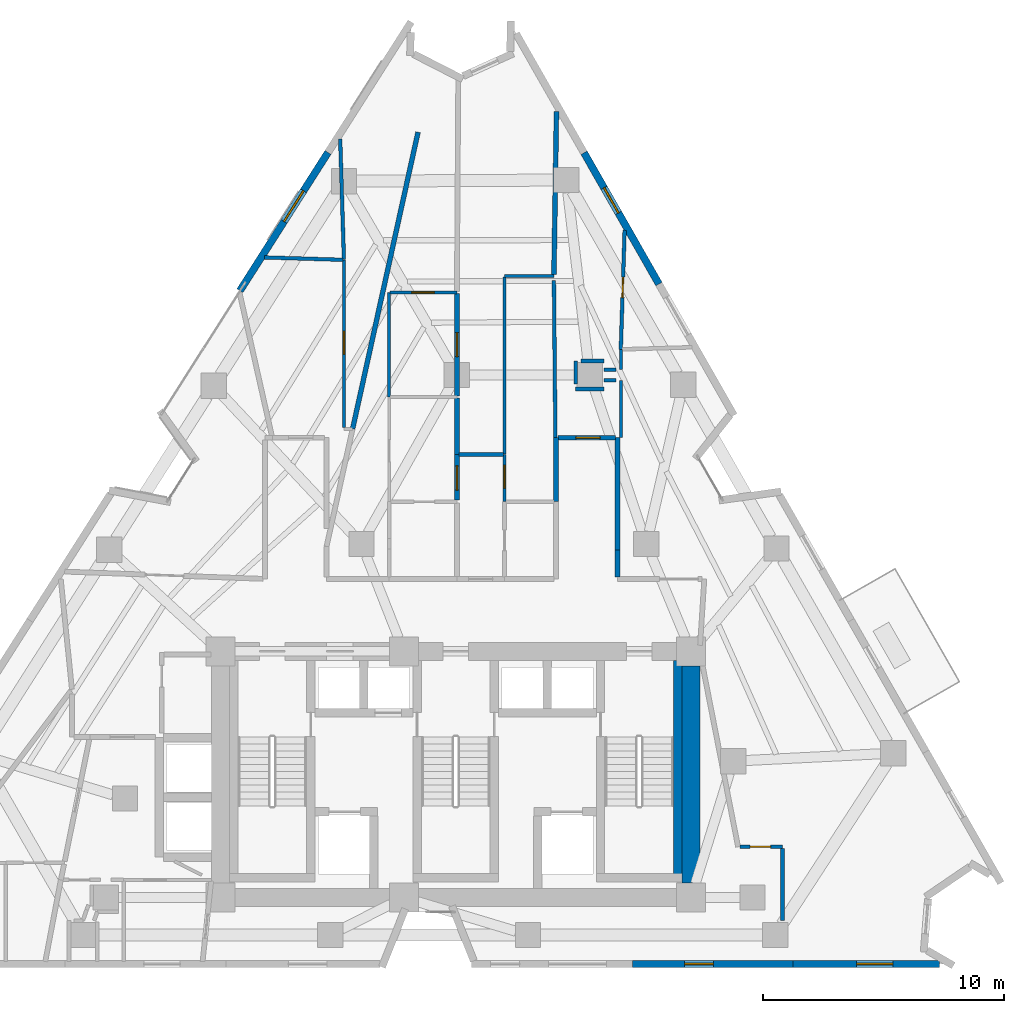
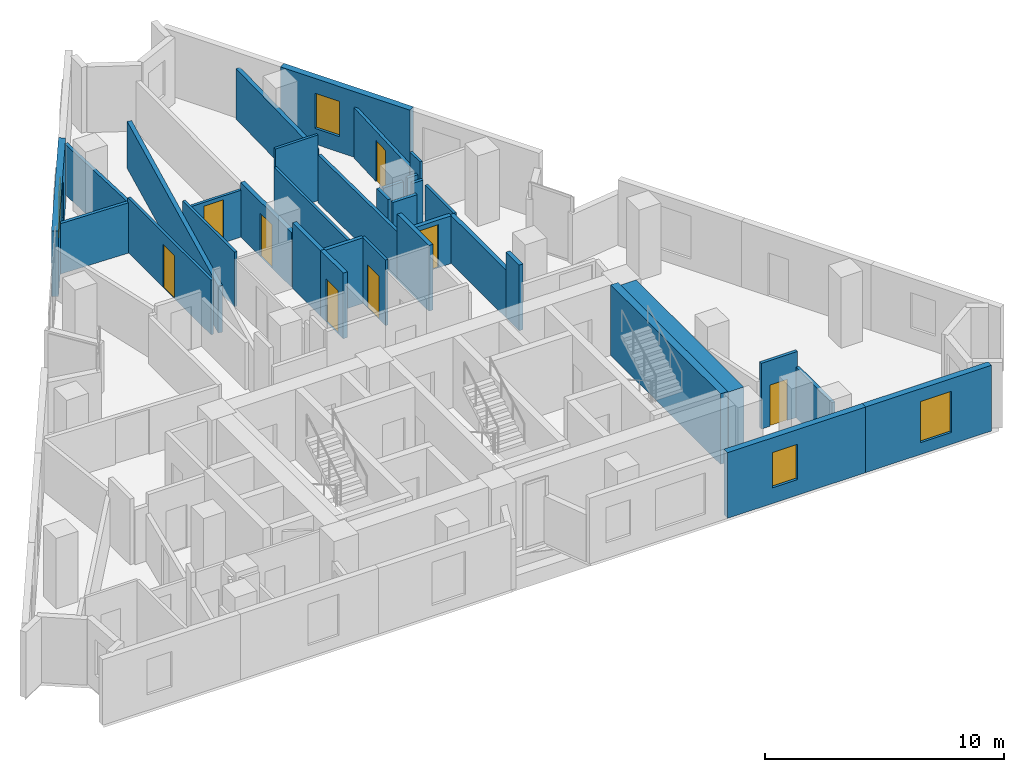
# One storey, part 8 of 11: 35 walls, 8 doors, 4 windows, 12 openings.
"""IFC4 building model written with IfcOpenShell, lengths in metres."""

from ifc_helpers import new_model, si_unit, direction, frame, frame_2d, origin, place, context, subcontext, project, spatial, rectangle, extrude, material, layer, layer_set, type_object, element, fill, save


model = new_model("IFC4")

# Units and contexts
model_context = context("Model", 3, precision=1e-05, world=origin(), true_north=direction((0.0, 1.0)))
body_context = subcontext(model_context, "Body", "Model", "MODEL_VIEW")
ifc_project = project(units=[si_unit("LENGTHUNIT", "METRE"), si_unit("AREAUNIT", "SQUARE_METRE"), si_unit("VOLUMEUNIT", "CUBIC_METRE"), si_unit("PLANEANGLEUNIT", "RADIAN"), si_unit("MASSUNIT", "GRAM", prefix="KILO")], contexts=[model_context])

# Site, building, storey
site_placement = place(None, origin())
site = spatial("IfcSite", under=ifc_project, at=site_placement, CompositionType="ELEMENT")
building_placement = place(site_placement, origin())
building = spatial("IfcBuilding", under=site, at=building_placement, Name="Almagre Mirador Tower", CompositionType="ELEMENT")
storey_placement = place(building_placement, frame((0.0, 0.0, 146.39990234375)))
storey = spatial("IfcBuildingStorey", under=building, at=storey_placement, Name="L37", CompositionType="ELEMENT", Elevation=146.39990234375)

# Wall, opening, window
ifc_material_1 = material(Name="Precast concrete C50/60", Category="concrete")
ifc_layer_1 = layer(ifc_material_1, 0.300048828125)
ifc_layer_set_1 = layer_set([ifc_layer_1], Name="Precast concrete C50/60")
wall_type_1 = type_object("IfcWallType", Name="WAL-EXT-300", PredefinedType="SOLIDWALL", material=ifc_layer_set_1)
wall_1_placement = place(storey_placement, frame((28.361328125, 29.69189453125, 0.0), z_axis=(0.0, 0.0, 1.0), x_axis=(0.537133761371, 0.843497079068, 0.0)))
wall_1 = element("IfcWall", 1, at=wall_1_placement, inside=storey, type_object=wall_type_1, Name="L37 expressed almagre precast frame wall 03", PredefinedType="SOLIDWALL", context=body_context, shape_type="SweptSolid", body=[
    extrude(rectangle(XDim=6.788818359375, YDim=0.300048828125, at=frame_2d((3.39453125, 0.0))), origin(), (0.0, 0.0, 1.0), 3.35009765625),
])
opening_1_placement = place(wall_1_placement, frame((3.403076171875, 0.0, 0.60009765625)))
opening_1 = element("IfcOpeningElement", 2, at=opening_1_placement, cuts=wall_1, Name="Opening WN-03", PredefinedType="OPENING", context=body_context, shape_type="SweptSolid", body=[
    extrude(rectangle(XDim=1.5, YDim=2.10009765625, at=frame_2d((0.75, 1.050048828125))), frame((0.0, 0.159902, 0.0), z_axis=(0.0, -1.0, 0.0), x_axis=(1.0, 0.0, 0.0)), (0.0, 0.0, 1.0), 0.320049),
])
ifc_material_2 = material(Name="Dark solar-control laminated hurricane glass", Category="glass")
window_type_1 = type_object("IfcWindowType", Name="WIN-1500X2100", PartitioningType="DOUBLE_PANEL_VERTICAL", PredefinedType="WINDOW", material=ifc_material_2)
window_1_placement = place(opening_1_placement, origin())
window_1 = element("IfcWindow", 3, at=window_1_placement, inside=storey, type_object=window_type_1, Name="L37 recessed hurricane window L37-UH-BT", OverallHeight=2.10009765625, OverallWidth=1.5, PartitioningType="SINGLE_PANEL", PredefinedType="WINDOW", context=body_context, shape_type="SweptSolid", body=[
    extrude(rectangle(XDim=1.5, YDim=2.10009765625, at=frame_2d((0.75, 1.050048828125))), frame((0.0, 0.030029296875, 0.0), z_axis=(0.0, -1.0, 0.0), x_axis=(1.0, 0.0, 0.0)), (0.0, 0.0, 1.0), 0.06005859375),
])
fill(opening_1, window_1)

wall_2_placement = place(storey_placement, frame((42.6181640625, 35.407958984375, 0.0), z_axis=(0.0, 0.0, 1.0), x_axis=(0.495681329465, -0.868504472999, 0.0)))
wall_2 = element("IfcWall", 4, at=wall_2_placement, inside=storey, type_object=wall_type_1, Name="L37 expressed almagre precast frame wall 10", PredefinedType="SOLIDWALL", context=body_context, shape_type="SweptSolid", body=[
    extrude(rectangle(XDim=6.263671875, YDim=0.300048828125, at=frame_2d((3.1318359375, 0.0))), origin(), (0.0, 0.0, 1.0), 3.35009765625),
])
opening_2_placement = place(wall_2_placement, frame((1.675048828125, 0.0, 0.800048828125)))
opening_2 = element("IfcOpeningElement", 5, at=opening_2_placement, cuts=wall_2, Name="Opening WN-04", PredefinedType="OPENING", context=body_context, shape_type="SweptSolid", body=[
    extrude(rectangle(XDim=1.199951171875, YDim=1.800048828125, at=frame_2d((0.60009765625, 0.89990234375))), frame((0.0, 0.159902, 0.0), z_axis=(0.0, -1.0, 0.0), x_axis=(1.0, 0.0, 0.0)), (0.0, 0.0, 1.0), 0.320049),
])
ifc_material_3 = material(Name="Dark solar-control laminated hurricane glass", Category="glass")
window_type_2 = type_object("IfcWindowType", Name="WIN-1200X1800", PartitioningType="SINGLE_PANEL", PredefinedType="WINDOW", material=ifc_material_3)
window_2_placement = place(opening_2_placement, origin())
window_2 = element("IfcWindow", 6, at=window_2_placement, inside=storey, type_object=window_type_2, Name="L37 recessed hurricane window L37-UK-ST", OverallHeight=1.800048828125, OverallWidth=1.199951171875, PartitioningType="SINGLE_PANEL", PredefinedType="WINDOW", context=body_context, shape_type="SweptSolid", body=[
    extrude(rectangle(XDim=1.199951171875, YDim=1.800048828125, at=frame_2d((0.60009765625, 0.89990234375))), frame((0.0, 0.030029296875, 0.0), z_axis=(0.0, -1.0, 0.0), x_axis=(1.0, 0.0, 0.0)), (0.0, 0.0, 1.0), 0.06005859375),
])
fill(opening_2, window_2)

wall_3_placement = place(storey_placement, frame((57.35498046875, 1.800048828125, 0.0), z_axis=(0.0, 0.0, 1.0), x_axis=(-1.0, 0.0, 0.0)))
wall_3 = element("IfcWall", 7, at=wall_3_placement, inside=storey, type_object=wall_type_1, Name="L37 expressed almagre precast frame wall 21", PredefinedType="SOLIDWALL", context=body_context, shape_type="SweptSolid", body=[
    extrude(rectangle(XDim=6.074951171875, YDim=0.300048828125, at=frame_2d((3.03759765625, 0.0))), origin(), (0.0, 0.0, 1.0), 3.35009765625),
])
opening_3_placement = place(wall_3_placement, frame((1.93994140625, 0.0, 0.60009765625)))
opening_3 = element("IfcOpeningElement", 8, at=opening_3_placement, cuts=wall_3, Name="Opening WN-03", PredefinedType="OPENING", context=body_context, shape_type="SweptSolid", body=[
    extrude(rectangle(XDim=1.5, YDim=2.10009765625, at=frame_2d((0.75, 1.050048828125))), frame((0.0, 0.159902, 0.0), z_axis=(0.0, -1.0, 0.0), x_axis=(1.0, 0.0, 0.0)), (0.0, 0.0, 1.0), 0.320049),
])
window_3_placement = place(opening_3_placement, origin())
window_3 = element("IfcWindow", 9, at=window_3_placement, inside=storey, type_object=window_type_1, Name="L37 recessed hurricane window L37-UD-ST", OverallHeight=2.10009765625, OverallWidth=1.5, PartitioningType="SINGLE_PANEL", PredefinedType="WINDOW", context=body_context, shape_type="SweptSolid", body=[
    extrude(rectangle(XDim=1.5, YDim=2.10009765625, at=frame_2d((0.75, 1.050048828125))), frame((0.0, 0.030029296875, 0.0), z_axis=(0.0, -1.0, 0.0), x_axis=(1.0, 0.0, 0.0)), (0.0, 0.0, 1.0), 0.06005859375),
])
fill(opening_3, window_3)

wall_4_placement = place(storey_placement, frame((51.280029296875, 1.800048828125, 0.0), z_axis=(0.0, 0.0, 1.0), x_axis=(-1.0, 0.0, 0.0)))
wall_4 = element("IfcWall", 10, at=wall_4_placement, inside=storey, type_object=wall_type_1, Name="L37 expressed almagre precast frame wall 22", PredefinedType="SOLIDWALL", context=body_context, shape_type="SweptSolid", body=[
    extrude(rectangle(XDim=6.659912109375, YDim=0.300048828125, at=frame_2d((3.330078125, 0.0))), origin(), (0.0, 0.0, 1.0), 3.35009765625),
])
opening_4_placement = place(wall_4_placement, frame((3.300048828125, 0.0, 0.800048828125)))
opening_4 = element("IfcOpeningElement", 11, at=opening_4_placement, cuts=wall_4, Name="Opening WN-04", PredefinedType="OPENING", context=body_context, shape_type="SweptSolid", body=[
    extrude(rectangle(XDim=1.199951171875, YDim=1.800048828125, at=frame_2d((0.60009765625, 0.89990234375))), frame((0.0, 0.159902, 0.0), z_axis=(0.0, -1.0, 0.0), x_axis=(1.0, 0.0, 0.0)), (0.0, 0.0, 1.0), 0.320049),
])
window_4_placement = place(opening_4_placement, origin())
window_4 = element("IfcWindow", 12, at=window_4_placement, inside=storey, type_object=window_type_2, Name="L37 recessed hurricane window L37-UC-KT", OverallHeight=1.800048828125, OverallWidth=1.199951171875, PartitioningType="SINGLE_PANEL", PredefinedType="WINDOW", context=body_context, shape_type="SweptSolid", body=[
    extrude(rectangle(XDim=1.199951171875, YDim=1.800048828125, at=frame_2d((0.60009765625, 0.89990234375))), frame((0.0, 0.030029296875, 0.0), z_axis=(0.0, -1.0, 0.0), x_axis=(1.0, 0.0, 0.0)), (0.0, 0.0, 1.0), 0.06005859375),
])
fill(opening_4, window_4)

# Wall
ifc_material_4 = material(Name="Gypsum acoustic stud partition", Category="other")
ifc_layer_2 = layer(ifc_material_4, 0.125)
ifc_layer_set_2 = layer_set([ifc_layer_2], Name="Gypsum acoustic stud partition")
wall_type_2 = type_object("IfcWallType", Name="WAL-PRT-125-UTL", PredefinedType="PARTITIONING", material=ifc_layer_set_2)
wall_5_placement = place(storey_placement, frame((34.5400390625, 25.2900390625, 0.0), z_axis=(0.0, 0.0, 1.0), x_axis=(0.0, 1.0, 0.0)))
element("IfcWall", 13, at=wall_5_placement, inside=storey, type_object=wall_type_2, Name="L37 interior partition 048", PredefinedType="PARTITIONING", context=body_context, shape_type="SweptSolid", body=[
    extrude(rectangle(XDim=4.330078125, YDim=0.125, at=frame_2d((2.1650390625, 0.0))), origin(), (0.0, 0.0, 1.0), 2.787109375),
])

# Wall, opening, door
wall_6_placement = place(storey_placement, frame((34.58740234375, 29.6201171875, 0.0), z_axis=(0.0, 0.0, 1.0), x_axis=(1.0, 0.0, 0.0)))
wall_6 = element("IfcWall", 14, at=wall_6_placement, inside=storey, type_object=wall_type_2, Name="L37 interior partition 049", PredefinedType="PARTITIONING", context=body_context, shape_type="SweptSolid", body=[
    extrude(rectangle(XDim=2.7626953125, YDim=0.125, at=frame_2d((1.38134765625, 0.0))), origin(), (0.0, 0.0, 1.0), 2.39306640625),
])
opening_5_placement = place(wall_6_placement, frame((0.882568359375, 0.0, 0.0)))
opening_5 = element("IfcOpeningElement", 15, at=opening_5_placement, cuts=wall_6, Name="Opening UD-01", PredefinedType="OPENING", context=body_context, shape_type="SweptSolid", body=[
    extrude(rectangle(XDim=0.949951171875, YDim=2.199951171875, at=frame_2d((0.47509765625, 1.10009765625))), frame((0.0, 0.0725, 0.0), z_axis=(0.0, -1.0, 0.0), x_axis=(1.0, 0.0, 0.0)), (0.0, 0.0, 1.0), 0.145),
])
ifc_material_5 = material(Name="Solid American walnut timber", Category="wood")
door_type_1 = type_object("IfcDoorType", Name="DOR-UNR-950X2200", OperationType="NOTDEFINED", PredefinedType="DOOR", material=ifc_material_5)
door_1_placement = place(opening_5_placement, origin())
door_1 = element("IfcDoor", 16, at=door_1_placement, inside=storey, type_object=door_type_1, Name="DR-1205 L37 interior door L37-UG-LV to L37-UG-KT", OperationType="SINGLE_SWING_LEFT", OverallHeight=2.199951171875, OverallWidth=0.949951171875, PredefinedType="DOOR", context=body_context, shape_type="SweptSolid", body=[
    extrude(rectangle(XDim=0.949951171875, YDim=2.199951171875, at=frame_2d((0.47509765625, 1.10009765625))), frame((0.0, 0.02490234375, 0.0), z_axis=(0.0, -1.0, 0.0), x_axis=(1.0, 0.0, 0.0)), (0.0, 0.0, 1.0), 0.050048828125),
])
fill(opening_5, door_1)

wall_7_placement = place(storey_placement, frame((32.669921875, 24.017578125, 0.0), z_axis=(0.0, 0.0, 1.0), x_axis=(0.0, 1.0, 0.0)))
wall_7 = element("IfcWall", 17, at=wall_7_placement, inside=storey, type_object=wall_type_2, Name="L37 interior partition 061", PredefinedType="PARTITIONING", context=body_context, shape_type="SweptSolid", body=[
    extrude(rectangle(XDim=6.952392578125, YDim=0.125, at=frame_2d((3.47607421875, 0.0))), origin(), (0.0, 0.0, 1.0), 2.787109375),
])
opening_6_placement = place(wall_7_placement, frame((3.036376953125, 0.0, 0.0)))
opening_6 = element("IfcOpeningElement", 18, at=opening_6_placement, cuts=wall_7, Name="Opening UD-01", PredefinedType="OPENING", context=body_context, shape_type="SweptSolid", body=[
    extrude(rectangle(XDim=0.949951171875, YDim=2.199951171875, at=frame_2d((0.47509765625, 1.10009765625))), frame((0.0, 0.0725, 0.0), z_axis=(0.0, -1.0, 0.0), x_axis=(1.0, 0.0, 0.0)), (0.0, 0.0, 1.0), 0.145),
])
door_2_placement = place(opening_6_placement, origin())
door_2 = element("IfcDoor", 19, at=door_2_placement, inside=storey, type_object=door_type_1, Name="DR-1208 L37 interior door L37-UH-ST to L37-UH-KT", OperationType="SINGLE_SWING_RIGHT", OverallHeight=2.199951171875, OverallWidth=0.949951171875, PredefinedType="DOOR", context=body_context, shape_type="SweptSolid", body=[
    extrude(rectangle(XDim=0.949951171875, YDim=2.199951171875, at=frame_2d((0.47509765625, 1.10009765625))), frame((0.0, 0.02490234375, 0.0), z_axis=(0.0, -1.0, 0.0), x_axis=(1.0, 0.0, 0.0)), (0.0, 0.0, 1.0), 0.050048828125),
])
fill(opening_6, door_2)

wall_8_placement = place(storey_placement, frame((39.320068359375, 20.949951171875, 0.0), z_axis=(0.0, 0.0, 1.0), x_axis=(0.0, 1.0, 0.0)))
wall_8 = element("IfcWall", 20, at=wall_8_placement, inside=storey, type_object=wall_type_2, Name="L37 interior partition 065", PredefinedType="PARTITIONING", context=body_context, shape_type="SweptSolid", body=[
    extrude(rectangle(XDim=1.9599609375, YDim=0.125, at=frame_2d((0.97998046875, 0.0))), origin(), (0.0, 0.0, 1.0), 3.35009765625),
])
opening_7_placement = place(wall_8_placement, frame((0.55712890625, 0.0, 0.0)))
opening_7 = element("IfcOpeningElement", 21, at=opening_7_placement, cuts=wall_8, Name="Opening UD-01", PredefinedType="OPENING", context=body_context, shape_type="SweptSolid", body=[
    extrude(rectangle(XDim=0.949951171875, YDim=2.199951171875, at=frame_2d((0.47509765625, 1.10009765625))), frame((0.0, 0.0725, 0.0), z_axis=(0.0, -1.0, 0.0), x_axis=(1.0, 0.0, 0.0)), (0.0, 0.0, 1.0), 0.145),
])
door_3_placement = place(opening_7_placement, origin())
door_3 = element("IfcDoor", 22, at=door_3_placement, inside=storey, type_object=door_type_1, Name="DR-1210 L37 interior door L37-UJ-ST to L37-UJ-KT", OperationType="SINGLE_SWING_LEFT", OverallHeight=2.199951171875, OverallWidth=0.949951171875, PredefinedType="DOOR", context=body_context, shape_type="SweptSolid", body=[
    extrude(rectangle(XDim=0.949951171875, YDim=2.199951171875, at=frame_2d((0.47509765625, 1.10009765625))), frame((0.0, 0.02490234375, 0.0), z_axis=(0.0, -1.0, 0.0), x_axis=(1.0, 0.0, 0.0)), (0.0, 0.0, 1.0), 0.050048828125),
])
fill(opening_7, door_3)

# Walls
wall_9_placement = place(storey_placement, frame((41.3701171875, 30.31005859375, 0.0), z_axis=(0.0, 0.0, 1.0), x_axis=(-1.0, 0.0, 0.0)))
element("IfcWall", 23, at=wall_9_placement, inside=storey, type_object=wall_type_2, Name="L37 interior partition 068", PredefinedType="PARTITIONING", context=body_context, shape_type="SweptSolid", body=[
    extrude(rectangle(XDim=2.050048828125, YDim=0.125, at=frame_2d((1.02490234375, 0.0))), origin(), (0.0, 0.0, 1.0), 3.35009765625),
])
wall_10_placement = place(storey_placement, frame((39.320068359375, 30.262451171875, 0.0), z_axis=(0.0, 0.0, 1.0), x_axis=(0.0, -1.0, 0.0)))
element("IfcWall", 24, at=wall_10_placement, inside=storey, type_object=wall_type_2, Name="L37 interior partition 069", PredefinedType="PARTITIONING", context=body_context, shape_type="SweptSolid", body=[
    extrude(rectangle(XDim=7.327392578125, YDim=0.125, at=frame_2d((3.66357421875, 0.0))), origin(), (0.0, 0.0, 1.0), 2.43603515625),
])
wall_11_placement = place(storey_placement, frame((44.139892578125, 23.60009765625, 0.0), z_axis=(0.0, 0.0, 1.0), x_axis=(0.0, 1.0, 0.0)))
element("IfcWall", 25, at=wall_11_placement, inside=storey, type_object=wall_type_2, Name="L37 interior partition 072", PredefinedType="PARTITIONING", context=body_context, shape_type="SweptSolid", body=[
    extrude(rectangle(XDim=2.3798828125, YDim=0.125, at=frame_2d((1.18994140625, 0.0))), origin(), (0.0, 0.0, 1.0), 2.43603515625),
])
wall_12_placement = place(storey_placement, frame((44.139892578125, 26.419921875, 0.0), z_axis=(0.0, 0.0, 1.0), x_axis=(0.0, 1.0, 0.0)))
element("IfcWall", 26, at=wall_12_placement, inside=storey, type_object=wall_type_2, Name="L37 interior partition 073", PredefinedType="PARTITIONING", context=body_context, shape_type="SweptSolid", body=[
    extrude(rectangle(XDim=0.840087890625, YDim=0.125, at=frame_2d((0.419921875, 0.0))), origin(), (0.0, 0.0, 1.0), 3.35009765625),
])

# Wall, opening, door
ifc_material_6 = material(Name="Gypsum acoustic stud partition", Category="other")
ifc_layer_3 = layer(ifc_material_6, 0.14990234375)
ifc_layer_set_3 = layer_set([ifc_layer_3], Name="Gypsum acoustic stud partition")
wall_type_3 = type_object("IfcWallType", Name="WAL-PRT-150-STD", PredefinedType="PARTITIONING", material=ifc_layer_set_3)
wall_13_placement = place(storey_placement, frame((49.0849609375, 6.64990234375, 0.0), z_axis=(0.0, 0.0, 1.0), x_axis=(1.0, 0.0, 0.0)))
wall_13 = element("IfcWall", 27, at=wall_13_placement, inside=storey, type_object=wall_type_3, Name="L37 interior partition 041", PredefinedType="PARTITIONING", context=body_context, shape_type="SweptSolid", body=[
    extrude(rectangle(XDim=1.755126953125, YDim=0.14990234375, at=frame_2d((0.87744140625, 0.0))), origin(), (0.0, 0.0, 1.0), 3.35009765625),
])
opening_8_placement = place(wall_13_placement, frame((0.409912109375, 0.0, 0.0)))
opening_8 = element("IfcOpeningElement", 28, at=opening_8_placement, cuts=wall_13, Name="Opening UD-04", PredefinedType="OPENING", context=body_context, shape_type="SweptSolid", body=[
    extrude(rectangle(XDim=0.85009765625, YDim=2.10009765625, at=frame_2d((0.425048828125, 1.050048828125))), frame((0.0, 0.084951, 0.0), z_axis=(0.0, -1.0, 0.0), x_axis=(1.0, 0.0, 0.0)), (0.0, 0.0, 1.0), 0.169902),
])
ifc_material_7 = material(Name="Moisture-resistant oak timber", Category="wood")
door_type_2 = type_object("IfcDoorType", Name="DOR-UNR-850X2100", OperationType="NOTDEFINED", PredefinedType="DOOR", material=ifc_material_7)
door_4_placement = place(opening_8_placement, origin())
door_4 = element("IfcDoor", 29, at=door_4_placement, inside=storey, type_object=door_type_2, Name="DR-1204 L37 interior door L37-UD-ST to L37-UD-BT", OperationType="SINGLE_SWING_LEFT", OverallHeight=2.10009765625, OverallWidth=0.85009765625, PredefinedType="DOOR", context=body_context, shape_type="SweptSolid", body=[
    extrude(rectangle(XDim=0.85009765625, YDim=2.10009765625, at=frame_2d((0.425048828125, 1.050048828125))), frame((0.0, 0.02490234375, 0.0), z_axis=(0.0, -1.0, 0.0), x_axis=(1.0, 0.0, 0.0)), (0.0, 0.0, 1.0), 0.050048828125),
])
fill(opening_8, door_4)

# Walls
wall_14_placement = place(storey_placement, frame((50.840087890625, 6.590087890625, 0.0), z_axis=(0.0, 0.0, 1.0), x_axis=(0.0, -1.0, 0.0)))
element("IfcWall", 30, at=wall_14_placement, inside=storey, type_object=wall_type_3, Name="L37 interior partition 043", PredefinedType="PARTITIONING", context=body_context, shape_type="SweptSolid", body=[
    extrude(rectangle(XDim=3.0, YDim=0.14990234375, at=frame_2d((1.5, 0.0))), origin(), (0.0, 0.0, 1.0), 2.570068359375),
])
wall_15_placement = place(storey_placement, frame((32.62255859375, 30.97119140625, 0.0), z_axis=(0.0, 0.0, 1.0), x_axis=(-0.999545103735, 0.03015933684, 0.0)))
element("IfcWall", 31, at=wall_15_placement, inside=storey, type_object=wall_type_3, Name="L37 interior partition 062", PredefinedType="PARTITIONING", context=body_context, shape_type="SweptSolid", body=[
    extrude(rectangle(XDim=3.24609375, YDim=0.14990234375, at=frame_2d((1.623046875, 0.0))), origin(), (0.0, 0.0, 1.0), 2.570068359375),
])
wall_16_placement = place(storey_placement, frame((32.514892578125, 35.968994140625, 0.0), z_axis=(0.0, 0.0, 1.0), x_axis=(0.031025448674, -0.999518594892, 0.0)))
element("IfcWall", 32, at=wall_16_placement, inside=storey, type_object=wall_type_3, Name="L37 interior partition 063", PredefinedType="PARTITIONING", context=body_context, shape_type="SweptSolid", body=[
    extrude(rectangle(XDim=4.989013671875, YDim=0.14990234375, at=frame_2d((2.49462890625, 0.0))), origin(), (0.0, 0.0, 1.0), 2.570068359375),
])

# Wall, opening, door
wall_17_placement = place(storey_placement, frame((44.139892578125, 27.260009765625, 0.0), z_axis=(0.0, 0.0, 1.0), x_axis=(0.032231735857, 0.999480422622, 0.0)))
wall_17 = element("IfcWall", 33, at=wall_17_placement, inside=storey, type_object=wall_type_3, Name="L37 interior partition 071", PredefinedType="PARTITIONING", context=body_context, shape_type="SweptSolid", body=[
    extrude(rectangle(XDim=4.938720703125, YDim=0.14990234375, at=frame_2d((2.46923828125, 0.0))), origin(), (0.0, 0.0, 1.0), 2.570068359375),
])
opening_9_placement = place(wall_17_placement, frame((2.143798828125, 0.0, 0.0)))
opening_9 = element("IfcOpeningElement", 34, at=opening_9_placement, cuts=wall_17, Name="Opening UD-04", PredefinedType="OPENING", context=body_context, shape_type="SweptSolid", body=[
    extrude(rectangle(XDim=0.85009765625, YDim=2.10009765625, at=frame_2d((0.425048828125, 1.050048828125))), frame((0.0, 0.084951, 0.0), z_axis=(0.0, -1.0, 0.0), x_axis=(1.0, 0.0, 0.0)), (0.0, 0.0, 1.0), 0.169902),
])
door_5_placement = place(opening_9_placement, origin())
door_5 = element("IfcDoor", 35, at=door_5_placement, inside=storey, type_object=door_type_2, Name="DR-1213 L37 interior door L37-UK-ST to L37-UK-BT", OperationType="SINGLE_SWING_LEFT", OverallHeight=2.10009765625, OverallWidth=0.85009765625, PredefinedType="DOOR", context=body_context, shape_type="SweptSolid", body=[
    extrude(rectangle(XDim=0.85009765625, YDim=2.10009765625, at=frame_2d((0.425048828125, 1.050048828125))), frame((0.0, 0.02490234375, 0.0), z_axis=(0.0, -1.0, 0.0), x_axis=(1.0, 0.0, 0.0)), (0.0, 0.0, 1.0), 0.050048828125),
])
fill(opening_9, door_5)

# Walls
wall_18_placement = place(storey_placement, frame((43.93798828125, 25.97998046875, 0.0), z_axis=(0.0, 0.0, 1.0), x_axis=(-1.0, 0.0, 0.0)))
element("IfcWall", 36, at=wall_18_placement, inside=storey, type_object=wall_type_3, Name="L37 interior partition 088", PredefinedType="PARTITIONING", context=body_context, shape_type="SweptSolid", body=[
    extrude(rectangle(XDim=0.498046875, YDim=0.14990234375, at=frame_2d((0.2490234375, 0.0))), origin(), (0.0, 0.0, 1.0), 2.787109375),
])
wall_19_placement = place(storey_placement, frame((43.43994140625, 25.6201171875, 0.0), z_axis=(0.0, 0.0, 1.0), x_axis=(-1.0, 0.0, 0.0)))
element("IfcWall", 37, at=wall_19_placement, inside=storey, type_object=wall_type_3, Name="L37 interior partition 089", PredefinedType="PARTITIONING", context=body_context, shape_type="SweptSolid", body=[
    extrude(rectangle(XDim=1.169921875, YDim=0.14990234375, at=frame_2d((0.5849609375, 0.0))), origin(), (0.0, 0.0, 1.0), 2.43603515625),
])
wall_20_placement = place(storey_placement, frame((42.27001953125, 25.8349609375, 0.0), z_axis=(0.0, 0.0, 1.0), x_axis=(0.0, 1.0, 0.0)))
element("IfcWall", 38, at=wall_20_placement, inside=storey, type_object=wall_type_3, Name="L37 interior partition 090", PredefinedType="PARTITIONING", context=body_context, shape_type="SweptSolid", body=[
    extrude(rectangle(XDim=0.945068359375, YDim=0.14990234375, at=frame_2d((0.47265625, 0.0))), origin(), (0.0, 0.0, 1.0), 2.43603515625),
])
wall_21_placement = place(storey_placement, frame((42.485107421875, 26.780029296875, 0.0), z_axis=(0.0, 0.0, 1.0), x_axis=(1.0, 0.0, 0.0)))
element("IfcWall", 39, at=wall_21_placement, inside=storey, type_object=wall_type_3, Name="L37 interior partition 091", PredefinedType="PARTITIONING", context=body_context, shape_type="SweptSolid", body=[
    extrude(rectangle(XDim=0.954833984375, YDim=0.14990234375, at=frame_2d((0.4775390625, 0.0))), origin(), (0.0, 0.0, 1.0), 2.39306640625),
])
wall_22_placement = place(storey_placement, frame((43.43994140625, 26.419921875, 0.0), z_axis=(0.0, 0.0, 1.0), x_axis=(1.0, 0.0, 0.0)))
element("IfcWall", 40, at=wall_22_placement, inside=storey, type_object=wall_type_3, Name="L37 interior partition 092", PredefinedType="PARTITIONING", context=body_context, shape_type="SweptSolid", body=[
    extrude(rectangle(XDim=0.498046875, YDim=0.14990234375, at=frame_2d((0.2490234375, 0.0))), origin(), (0.0, 0.0, 1.0), 2.787109375),
])
wall_23_placement = place(storey_placement, frame((41.368896484375, 30.10693359375, 0.0), z_axis=(0.0, 0.0, 1.0), x_axis=(0.009529808868, -0.99995459034, 0.0)))
element("IfcWall", 41, at=wall_23_placement, inside=storey, type_object=wall_type_3, Name="L37 interior partition 093", PredefinedType="PARTITIONING", context=body_context, shape_type="SweptSolid", body=[
    extrude(rectangle(XDim=6.507080078125, YDim=0.14990234375, at=frame_2d((3.25341796875, 0.0))), origin(), (0.0, 0.0, 1.0), 2.43603515625),
])
ifc_material_8 = material(Name="Gypsum acoustic stud partition", Category="other")
ifc_layer_4 = layer(ifc_material_8, 0.175048828125)
ifc_layer_set_4 = layer_set([ifc_layer_4], Name="Gypsum acoustic stud partition")
wall_type_4 = type_object("IfcWallType", Name="WAL-PRT-175-AC", PredefinedType="PARTITIONING", material=ifc_layer_set_4)
wall_24_placement = place(storey_placement, frame((39.2724609375, 22.909912109375, 0.0), z_axis=(0.0, 0.0, 1.0), x_axis=(-1.0, 0.0, 0.0)))
element("IfcWall", 42, at=wall_24_placement, inside=storey, type_object=wall_type_4, Name="L37 interior partition 066", PredefinedType="PARTITIONING", context=body_context, shape_type="SweptSolid", body=[
    extrude(rectangle(XDim=1.83740234375, YDim=0.175048828125, at=frame_2d((0.918701171875, 0.0))), origin(), (0.0, 0.0, 1.0), 3.35009765625),
])
ifc_material_9 = material(Name="Gypsum acoustic stud partition", Category="other")
ifc_layer_5 = layer(ifc_material_9, 0.199951171875)
ifc_layer_set_5 = layer_set([ifc_layer_5], Name="Gypsum acoustic stud partition")
wall_type_5 = type_object("IfcWallType", Name="WAL-PRT-200-EI60", PredefinedType="PARTITIONING", material=ifc_layer_set_5)
wall_25_placement = place(storey_placement, frame((44.0, 17.8349609375, 0.0), z_axis=(0.0, 0.0, 1.0), x_axis=(0.0, 1.0, 0.0)))
element("IfcWall", 43, at=wall_25_placement, inside=storey, type_object=wall_type_5, Name="L37 interior partition 006", PredefinedType="PARTITIONING", context=body_context, shape_type="SweptSolid", body=[
    extrude(rectangle(XDim=1.10498046875, YDim=0.199951171875, at=frame_2d((0.552490234375, 0.0))), origin(), (0.0, 0.0, 1.0), 3.35009765625),
])
wall_26_placement = place(storey_placement, frame((41.449951171875, 23.60009765625, 0.0), z_axis=(0.0, 0.0, 1.0), x_axis=(0.0, -1.0, 0.0)))
element("IfcWall", 44, at=wall_26_placement, inside=storey, type_object=wall_type_5, Name="L37 interior partition 019", PredefinedType="PARTITIONING", context=body_context, shape_type="SweptSolid", body=[
    extrude(rectangle(XDim=2.650146484375, YDim=0.199951171875, at=frame_2d((1.3251953125, 0.0))), origin(), (0.0, 0.0, 1.0), 3.35009765625),
])
wall_27_placement = place(storey_placement, frame((44.0, 18.93994140625, 0.0), z_axis=(0.0, 0.0, 1.0), x_axis=(0.0, 1.0, 0.0)))
element("IfcWall", 45, at=wall_27_placement, inside=storey, type_object=wall_type_5, Name="L37 interior partition 020", PredefinedType="PARTITIONING", context=body_context, shape_type="SweptSolid", body=[
    extrude(rectangle(XDim=4.66015625, YDim=0.199951171875, at=frame_2d((2.330078125, 0.0))), origin(), (0.0, 0.0, 1.0), 2.43603515625),
])

# Wall, opening, door
wall_28_placement = place(storey_placement, frame((43.9150390625, 23.60009765625, 0.0), z_axis=(0.0, 0.0, 1.0), x_axis=(-1.0, 0.0, 0.0)))
wall_28 = element("IfcWall", 46, at=wall_28_placement, inside=storey, type_object=wall_type_5, Name="L37 interior partition 021", PredefinedType="PARTITIONING", context=body_context, shape_type="SweptSolid", body=[
    extrude(rectangle(XDim=2.380126953125, YDim=0.199951171875, at=frame_2d((1.18994140625, 0.0))), origin(), (0.0, 0.0, 1.0), 2.43603515625),
])
opening_10_placement = place(wall_28_placement, frame((0.63232421875, 0.0, 0.0)))
opening_10 = element("IfcOpeningElement", 47, at=opening_10_placement, cuts=wall_28, Name="Opening ID-01", PredefinedType="OPENING", context=body_context, shape_type="SweptSolid", body=[
    extrude(rectangle(XDim=1.0, YDim=2.199951171875, at=frame_2d((0.5, 1.10009765625))), frame((0.0, 0.110098, 0.0), z_axis=(0.0, -1.0, 0.0), x_axis=(1.0, 0.0, 0.0)), (0.0, 0.0, 1.0), 0.219951),
])
ifc_material_10 = material(Name="Fire-rated walnut timber", Category="wood")
door_type_3 = type_object("IfcDoorType", Name="DOR-FD60-1000X2200", OperationType="NOTDEFINED", PredefinedType="DOOR", material=ifc_material_10)
door_6_placement = place(opening_10_placement, origin())
door_6 = element("IfcDoor", 48, at=door_6_placement, inside=storey, type_object=door_type_3, Name="DR-1212 L37 interior door L37-RCOR to L37-UK-ST", OperationType="SINGLE_SWING_RIGHT", OverallHeight=2.199951171875, OverallWidth=1.0, PredefinedType="DOOR", context=body_context, shape_type="SweptSolid", body=[
    extrude(rectangle(XDim=1.0, YDim=2.199951171875, at=frame_2d((0.5, 1.10009765625))), frame((0.0, 0.02490234375, 0.0), z_axis=(0.0, -1.0, 0.0), x_axis=(1.0, 0.0, 0.0)), (0.0, 0.0, 1.0), 0.050048828125),
])
fill(opening_10, door_6)

# Wall
wall_29_placement = place(storey_placement, frame((35.739990234375, 36.260009765625, 0.0), z_axis=(0.0, 0.0, 1.0), x_axis=(-0.215328042863, -0.976541772766, 0.0)))
element("IfcWall", 49, at=wall_29_placement, inside=storey, type_object=wall_type_5, Name="L37 interior partition 052", PredefinedType="PARTITIONING", context=body_context, shape_type="SweptSolid", body=[
    extrude(rectangle(XDim=12.585205078125, YDim=0.199951171875, at=frame_2d((6.29248046875, 0.0))), origin(), (0.0, 0.0, 1.0), 2.39306640625),
])

# Wall, opening, door
wall_30_placement = place(storey_placement, frame((37.35009765625, 25.33740234375, 0.0), z_axis=(0.0, 0.0, 1.0), x_axis=(0.0, 1.0, 0.0)))
wall_30 = element("IfcWall", 50, at=wall_30_placement, inside=storey, type_object=wall_type_5, Name="L37 interior partition 057", PredefinedType="PARTITIONING", context=body_context, shape_type="SweptSolid", body=[
    extrude(rectangle(XDim=4.235107421875, YDim=0.199951171875, at=frame_2d((2.11767578125, 0.0))), origin(), (0.0, 0.0, 1.0), 2.787109375),
])
opening_11_placement = place(wall_30_placement, frame((1.617431640625, 0.0, 0.0)))
opening_11 = element("IfcOpeningElement", 51, at=opening_11_placement, cuts=wall_30, Name="Opening ID-01", PredefinedType="OPENING", context=body_context, shape_type="SweptSolid", body=[
    extrude(rectangle(XDim=1.0, YDim=2.199951171875, at=frame_2d((0.5, 1.10009765625))), frame((0.0, 0.110098, 0.0), z_axis=(0.0, -1.0, 0.0), x_axis=(1.0, 0.0, 0.0)), (0.0, 0.0, 1.0), 0.219951),
])
door_7_placement = place(opening_11_placement, origin())
door_7 = element("IfcDoor", 52, at=door_7_placement, inside=storey, type_object=door_type_3, Name="DR-1218 L37 interior door L37-UG-KT to L37-UJ-SL1", OperationType="SINGLE_SWING_LEFT", OverallHeight=2.199951171875, OverallWidth=1.0, PredefinedType="DOOR", context=body_context, shape_type="SweptSolid", body=[
    extrude(rectangle(XDim=1.0, YDim=2.199951171875, at=frame_2d((0.5, 1.10009765625))), frame((0.0, 0.02490234375, 0.0), z_axis=(0.0, -1.0, 0.0), x_axis=(1.0, 0.0, 0.0)), (0.0, 0.0, 1.0), 0.050048828125),
])
fill(opening_11, door_7)

wall_31_placement = place(storey_placement, frame((37.35009765625, 21.010009765625, 0.0), z_axis=(0.0, 0.0, 1.0), x_axis=(0.0, 1.0, 0.0)))
wall_31 = element("IfcWall", 53, at=wall_31_placement, inside=storey, type_object=wall_type_5, Name="L37 interior partition 058", PredefinedType="PARTITIONING", context=body_context, shape_type="SweptSolid", body=[
    extrude(rectangle(XDim=1.89990234375, YDim=0.199951171875, at=frame_2d((0.949951171875, 0.0))), origin(), (0.0, 0.0, 1.0), 3.35009765625),
])
opening_12_placement = place(wall_31_placement, frame((0.419921875, 0.0, 0.0)))
opening_12 = element("IfcOpeningElement", 54, at=opening_12_placement, cuts=wall_31, Name="Opening ID-01", PredefinedType="OPENING", context=body_context, shape_type="SweptSolid", body=[
    extrude(rectangle(XDim=1.0, YDim=2.199951171875, at=frame_2d((0.5, 1.10009765625))), frame((0.0, 0.110098, 0.0), z_axis=(0.0, -1.0, 0.0), x_axis=(1.0, 0.0, 0.0)), (0.0, 0.0, 1.0), 0.219951),
])
door_8_placement = place(opening_12_placement, origin())
door_8 = element("IfcDoor", 55, at=door_8_placement, inside=storey, type_object=door_type_3, Name="DR-1216 L37 interior door L37-UG-MB to L37-UJ-ST", OperationType="SINGLE_SWING_RIGHT", OverallHeight=2.199951171875, OverallWidth=1.0, PredefinedType="DOOR", context=body_context, shape_type="SweptSolid", body=[
    extrude(rectangle(XDim=1.0, YDim=2.199951171875, at=frame_2d((0.5, 1.10009765625))), frame((0.0, 0.02490234375, 0.0), z_axis=(0.0, -1.0, 0.0), x_axis=(1.0, 0.0, 0.0)), (0.0, 0.0, 1.0), 0.050048828125),
])
fill(opening_12, door_8)

# Walls
wall_32_placement = place(storey_placement, frame((37.35009765625, 22.909912109375, 0.0), z_axis=(0.0, 0.0, 1.0), x_axis=(0.0, 1.0, 0.0)))
element("IfcWall", 56, at=wall_32_placement, inside=storey, type_object=wall_type_5, Name="L37 interior partition 059", PredefinedType="PARTITIONING", context=body_context, shape_type="SweptSolid", body=[
    extrude(rectangle(XDim=2.33251953125, YDim=0.199951171875, at=frame_2d((1.166259765625, 0.0))), origin(), (0.0, 0.0, 1.0), 3.35009765625),
])
wall_33_placement = place(storey_placement, frame((41.370361328125, 30.357421875, 0.0), z_axis=(0.0, 0.0, 1.0), x_axis=(0.015490539387, 0.999880014396, 0.0)))
element("IfcWall", 57, at=wall_33_placement, inside=storey, type_object=wall_type_5, Name="L37 interior partition 070", PredefinedType="PARTITIONING", context=body_context, shape_type="SweptSolid", body=[
    extrude(rectangle(XDim=6.76123046875, YDim=0.199951171875, at=frame_2d((3.380615234375, 0.0))), origin(), (0.0, 0.0, 1.0), 2.570068359375),
])
ifc_material_11 = material(Name="Concrete C60/75", Category="concrete")
ifc_layer_6 = layer(ifc_material_11, 0.35009765625)
ifc_layer_set_6 = layer_set([ifc_layer_6], Name="Concrete C60/75")
wall_type_6 = type_object("IfcWallType", Name="WAL-SHF-350", PredefinedType="SOLIDWALL", material=ifc_layer_set_6)
wall_34_placement = place(storey_placement, frame((46.5, 5.199951171875, 0.0), z_axis=(0.0, 0.0, 1.0), x_axis=(0.0, 1.0, 0.0)))
element("IfcWall", 58, at=wall_34_placement, inside=storey, type_object=wall_type_6, Name="L37 shaft wall ST3-E", PredefinedType="SOLIDWALL", context=body_context, shape_type="SweptSolid", body=[
    extrude(rectangle(XDim=9.175048828125, YDim=0.35009765625, at=frame_2d((4.58740234375, 0.0))), origin(), (0.0, 0.0, 1.0), 3.60009765625),
])
ifc_material_12 = material(Name="Concrete C60/75", Category="concrete")
ifc_layer_7 = layer(ifc_material_12, 0.75)
ifc_layer_set_7 = layer_set([ifc_layer_7], Name="Concrete C60/75")
wall_type_7 = type_object("IfcWallType", Name="WAL-SHR-750", PredefinedType="SHEAR", material=ifc_layer_set_7)
wall_35_placement = place(storey_placement, frame((47.050048828125, 5.14990234375, 0.0), z_axis=(0.0, 0.0, 1.0), x_axis=(0.0, 1.0, 0.0)))
element("IfcWall", 59, at=wall_35_placement, inside=storey, type_object=wall_type_7, Name="L37 core shear wall E1", PredefinedType="SHEAR", context=body_context, shape_type="SweptSolid", body=[
    extrude(rectangle(XDim=9.0, YDim=0.75, at=frame_2d((4.5, 0.0))), origin(), (0.0, 0.0, 1.0), 3.60009765625),
])

save(model, "model.ifc")
